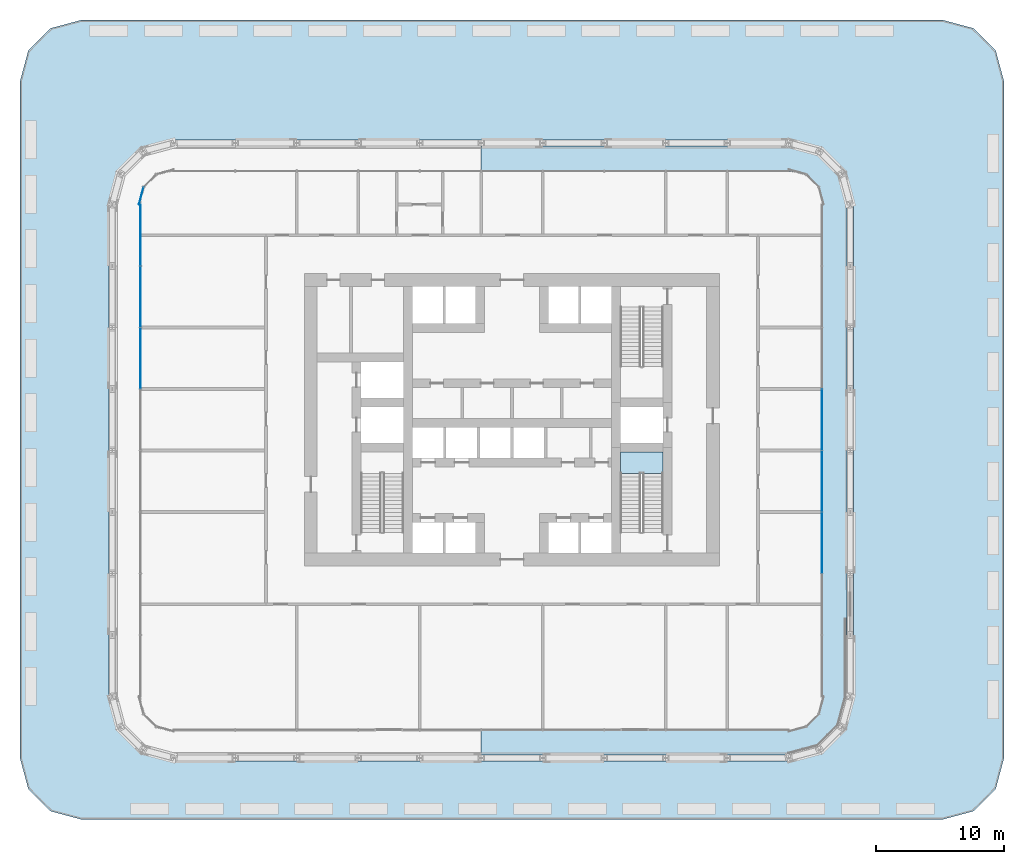
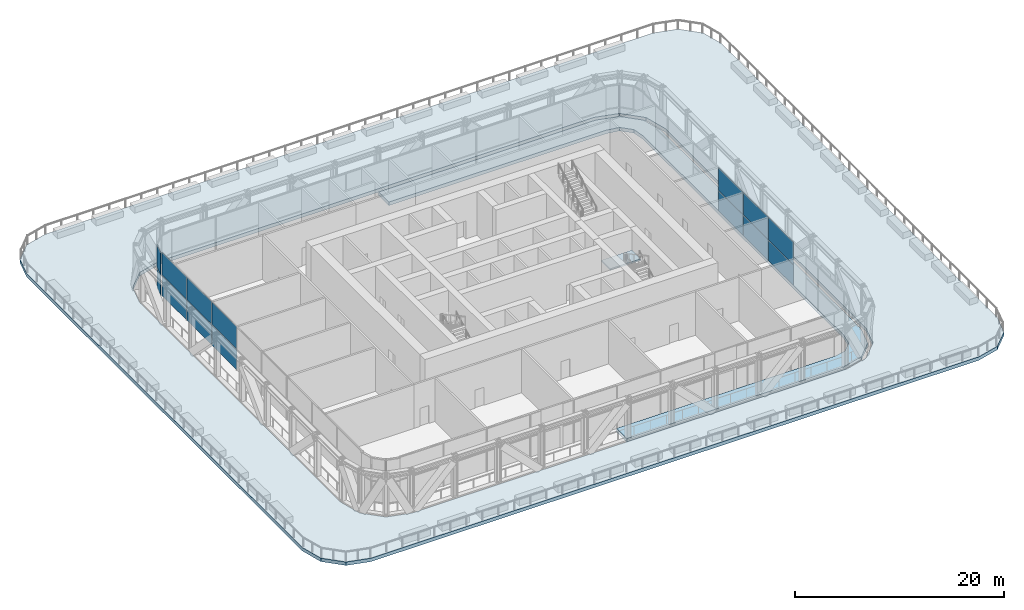
# One storey, part 12 of 22: 14 plates, 3 slabs, 4 elements without a shape of their own.
"""IFC4 building model written with IfcOpenShell, lengths in metres."""

from ifc_helpers import new_model, si_unit, direction, frame, origin, origin_2d, place, context, subcontext, project, spatial, polyline, rectangle, outline, extrude, material, layer, layer_set, type_object, element, aggregate, save


model = new_model("IFC4")

# Units and contexts
model_context = context("Model", 3, precision=1e-05, world=origin(), true_north=direction((0.0, 1.0)))
body_context = subcontext(model_context, "Body", "Model", "MODEL_VIEW")
ifc_project = project(units=[si_unit("LENGTHUNIT", "METRE"), si_unit("AREAUNIT", "SQUARE_METRE"), si_unit("VOLUMEUNIT", "CUBIC_METRE"), si_unit("PLANEANGLEUNIT", "RADIAN"), si_unit("MASSUNIT", "GRAM", prefix="KILO")], contexts=[model_context])

# Site, building, storey
site_placement = place(None, origin())
site = spatial("IfcSite", under=ifc_project, at=site_placement, CompositionType="ELEMENT")
building_placement = place(site_placement, origin())
building = spatial("IfcBuilding", under=site, at=building_placement, Name="Madar Terraces", CompositionType="ELEMENT")
storey_placement = place(building_placement, frame((0.0, 0.0, 24.0)))
storey = spatial("IfcBuildingStorey", under=building, at=storey_placement, Name="L05", CompositionType="ELEMENT", Elevation=24.0)

# Curtain wall, plates
ifc_material_1 = material(Name="Glass, ceramic frit dark grey, with black aluminium frame", Category="aluminium")
ifc_layer_1 = layer(ifc_material_1, 0.199951171875)
ifc_layer_set_1 = layer_set([ifc_layer_1], Name="Facade curtain wall, tall glazing")
curtain_wall_type = type_object("IfcCurtainWallType", Name="Facade curtain wall, tall glazing", PredefinedType="NOTDEFINED", material=ifc_layer_set_1)
curtain_wall_1_placement = place(storey_placement, origin())
curtain_wall_1 = element("IfcCurtainWall", 1, at=curtain_wall_1_placement, inside=storey, type_object=curtain_wall_type, Name="Outer skin curtain wall east bay 1", PredefinedType="NOTDEFINED")
ifc_material_2 = material(Name="Glass, ceramic frit dark grey", Category="glass")
ifc_layer_2 = layer(ifc_material_2, 0.028076171875)
ifc_layer_set_2 = layer_set([ifc_layer_2], Name="Facade glass panel 28")
plate_type = type_object("IfcPlateType", Name="Facade glass panel 28", PredefinedType="CURTAIN_PANEL", material=ifc_layer_set_2)
plate_1_placement = place(storey_placement, frame((55.39990234375, 16.800048828125, 0.0), z_axis=(0.0, 0.0, 1.0), x_axis=(0.0, 1.0, 0.0)))
plate_1 = element("IfcPlate", 2, at=plate_1_placement, type_object=plate_type, Name="Panel 5", PredefinedType="CURTAIN_PANEL", context=body_context, shape_type="SweptSolid", body=[
    extrude(rectangle(XDim=4.739990234375, YDim=0.028076171875, at=origin_2d()), origin(), (0.0, 0.0, 1.0), 2.3701171875),
])
plate_2_placement = place(storey_placement, frame((55.39990234375, 16.800048828125, 2.43017578125), z_axis=(0.0, 0.0, 1.0), x_axis=(0.0, 1.0, 0.0)))
plate_2 = element("IfcPlate", 3, at=plate_2_placement, type_object=plate_type, Name="Panel 6", PredefinedType="CURTAIN_PANEL", context=body_context, shape_type="SweptSolid", body=[
    extrude(rectangle(XDim=4.739990234375, YDim=0.028076171875, at=origin_2d()), origin(), (0.0, 0.0, 1.0), 2.610107421875),
])
plate_3_placement = place(storey_placement, frame((55.39990234375, 21.60009765625, 0.0), z_axis=(0.0, 0.0, 1.0), x_axis=(0.0, 1.0, 0.0)))
plate_3 = element("IfcPlate", 4, at=plate_3_placement, type_object=plate_type, Name="Panel 7", PredefinedType="CURTAIN_PANEL", context=body_context, shape_type="SweptSolid", body=[
    extrude(rectangle(XDim=4.739990234375, YDim=0.028076171875, at=origin_2d()), origin(), (0.0, 0.0, 1.0), 2.3701171875),
])
plate_4_placement = place(storey_placement, frame((55.39990234375, 21.60009765625, 2.43017578125), z_axis=(0.0, 0.0, 1.0), x_axis=(0.0, 1.0, 0.0)))
plate_4 = element("IfcPlate", 5, at=plate_4_placement, type_object=plate_type, Name="Panel 8", PredefinedType="CURTAIN_PANEL", context=body_context, shape_type="SweptSolid", body=[
    extrude(rectangle(XDim=4.739990234375, YDim=0.028076171875, at=origin_2d()), origin(), (0.0, 0.0, 1.0), 2.610107421875),
])
plate_5_placement = place(storey_placement, frame((55.39990234375, 26.39990234375, 0.0), z_axis=(0.0, 0.0, 1.0), x_axis=(0.0, 1.0, 0.0)))
plate_5 = element("IfcPlate", 6, at=plate_5_placement, type_object=plate_type, Name="Panel 9", PredefinedType="CURTAIN_PANEL", context=body_context, shape_type="SweptSolid", body=[
    extrude(rectangle(XDim=4.739990234375, YDim=0.028076171875, at=origin_2d()), origin(), (0.0, 0.0, 1.0), 2.3701171875),
])
plate_6_placement = place(storey_placement, frame((55.39990234375, 26.39990234375, 2.43017578125), z_axis=(0.0, 0.0, 1.0), x_axis=(0.0, 1.0, 0.0)))
plate_6 = element("IfcPlate", 7, at=plate_6_placement, type_object=plate_type, Name="Panel 10", PredefinedType="CURTAIN_PANEL", context=body_context, shape_type="SweptSolid", body=[
    extrude(rectangle(XDim=4.739990234375, YDim=0.028076171875, at=origin_2d()), origin(), (0.0, 0.0, 1.0), 2.610107421875),
])
aggregate(curtain_wall_1, [plate_1, plate_2, plate_3, plate_4, plate_5, plate_6])

curtain_wall_2_placement = place(storey_placement, origin())
curtain_wall_2 = element("IfcCurtainWall", 8, at=curtain_wall_2_placement, inside=storey, type_object=curtain_wall_type, Name="Outer skin curtain wall west bay 1", PredefinedType="NOTDEFINED")
plate_7_placement = place(storey_placement, frame((2.199951171875, 40.81494140625, 0.0), z_axis=(0.0, 0.0, 1.0), x_axis=(0.0, -1.0, 0.0)))
plate_7 = element("IfcPlate", 9, at=plate_7_placement, type_object=plate_type, Name="Panel 1", PredefinedType="CURTAIN_PANEL", context=body_context, shape_type="SweptSolid", body=[
    extrude(rectangle(XDim=4.77001953125, YDim=0.028076171875, at=origin_2d()), origin(), (0.0, 0.0, 1.0), 2.3701171875),
])
plate_8_placement = place(storey_placement, frame((2.199951171875, 40.81494140625, 2.43017578125), z_axis=(0.0, 0.0, 1.0), x_axis=(0.0, -1.0, 0.0)))
plate_8 = element("IfcPlate", 10, at=plate_8_placement, type_object=plate_type, Name="Panel 2", PredefinedType="CURTAIN_PANEL", context=body_context, shape_type="SweptSolid", body=[
    extrude(rectangle(XDim=4.77001953125, YDim=0.028076171875, at=origin_2d()), origin(), (0.0, 0.0, 1.0), 2.610107421875),
])
plate_9_placement = place(storey_placement, frame((2.199951171875, 36.0, 0.0), z_axis=(0.0, 0.0, 1.0), x_axis=(0.0, -1.0, 0.0)))
plate_9 = element("IfcPlate", 11, at=plate_9_placement, type_object=plate_type, Name="Panel 3", PredefinedType="CURTAIN_PANEL", context=body_context, shape_type="SweptSolid", body=[
    extrude(rectangle(XDim=4.739990234375, YDim=0.028076171875, at=origin_2d()), origin(), (0.0, 0.0, 1.0), 2.3701171875),
])
plate_10_placement = place(storey_placement, frame((2.199951171875, 36.0, 2.43017578125), z_axis=(0.0, 0.0, 1.0), x_axis=(0.0, -1.0, 0.0)))
plate_10 = element("IfcPlate", 12, at=plate_10_placement, type_object=plate_type, Name="Panel 4", PredefinedType="CURTAIN_PANEL", context=body_context, shape_type="SweptSolid", body=[
    extrude(rectangle(XDim=4.739990234375, YDim=0.028076171875, at=origin_2d()), origin(), (0.0, 0.0, 1.0), 2.610107421875),
])
plate_11_placement = place(storey_placement, frame((2.199951171875, 31.199951171875, 0.0), z_axis=(0.0, 0.0, 1.0), x_axis=(0.0, -1.0, 0.0)))
plate_11 = element("IfcPlate", 13, at=plate_11_placement, type_object=plate_type, Name="Panel 5", PredefinedType="CURTAIN_PANEL", context=body_context, shape_type="SweptSolid", body=[
    extrude(rectangle(XDim=4.739990234375, YDim=0.028076171875, at=origin_2d()), origin(), (0.0, 0.0, 1.0), 2.3701171875),
])
plate_12_placement = place(storey_placement, frame((2.199951171875, 31.199951171875, 2.43017578125), z_axis=(0.0, 0.0, 1.0), x_axis=(0.0, -1.0, 0.0)))
plate_12 = element("IfcPlate", 14, at=plate_12_placement, type_object=plate_type, Name="Panel 6", PredefinedType="CURTAIN_PANEL", context=body_context, shape_type="SweptSolid", body=[
    extrude(rectangle(XDim=4.739990234375, YDim=0.028076171875, at=origin_2d()), origin(), (0.0, 0.0, 1.0), 2.610107421875),
])
aggregate(curtain_wall_2, [plate_7, plate_8, plate_9, plate_10, plate_11, plate_12])

curtain_wall_3_placement = place(storey_placement, origin())
curtain_wall_3 = element("IfcCurtainWall", 15, at=curtain_wall_3_placement, inside=storey, type_object=curtain_wall_type, Name="Outer skin curtain wall north-west corner", PredefinedType="NOTDEFINED")
plate_13_placement = place(storey_placement, frame((2.25830078125, 43.865478515625, 0.0), z_axis=(0.0, 0.0, 1.0), x_axis=(-0.258819110244, -0.965925808834, 0.0)))
plate_13 = element("IfcPlate", 16, at=plate_13_placement, type_object=plate_type, Name="Panel 5", PredefinedType="CURTAIN_PANEL", context=body_context, shape_type="SweptSolid", body=[
    extrude(rectangle(XDim=1.3779296875, YDim=0.028076171875, at=origin_2d()), origin(), (0.0, 0.0, 1.0), 2.3701171875),
])
plate_14_placement = place(storey_placement, frame((2.25830078125, 43.865478515625, 2.43017578125), z_axis=(0.0, 0.0, 1.0), x_axis=(-0.258819110244, -0.965925808834, 0.0)))
plate_14 = element("IfcPlate", 17, at=plate_14_placement, type_object=plate_type, Name="Panel 6", PredefinedType="CURTAIN_PANEL", context=body_context, shape_type="SweptSolid", body=[
    extrude(rectangle(XDim=1.3779296875, YDim=0.028076171875, at=origin_2d()), origin(), (0.0, 0.0, 1.0), 2.610107421875),
])
aggregate(curtain_wall_3, [plate_13, plate_14])

# Stair, slab
ifc_material_3 = material(Name="Concrete C50/60", Category="concrete")
stair_type = type_object("IfcStairType", Name="Stair ST3 protected exit", PredefinedType="HALF_TURN_STAIR", material=ifc_material_3)
stair_placement = place(storey_placement, origin())
stair = element("IfcStair", 18, at=stair_placement, inside=storey, type_object=stair_type, Name="L05 Protected Exit Stair ST3", PredefinedType="HALF_TURN_STAIR")
ifc_material_4 = material(Name="Concrete C50/60", Category="concrete")
ifc_layer_3 = layer(ifc_material_4, 0.199951171875)
ifc_layer_set_3 = layer_set([ifc_layer_3], Name="Stair landing 200, top +2.70")
slab_type_1 = type_object("IfcSlabType", Name="Stair landing 200, top +2.70", PredefinedType="LANDING", material=ifc_layer_set_3)
slab_1_placement = place(storey_placement, frame((0.0, 0.0, 2.5)))
slab_1 = element("IfcSlab", 19, at=slab_1_placement, type_object=slab_type_1, Name="ST3 landing 1", PredefinedType="LANDING", context=body_context, shape_type="SweptSolid", body=[
    extrude(outline(polyline([(39.64990234375, 22.219970703125), (43.0, 22.219970703125), (43.0, 23.89990234375), (39.64990234375, 23.89990234375), (39.64990234375, 22.219970703125)])), origin(), (0.0, 0.0, 1.0), 0.199951171875),
])
aggregate(stair, [slab_1])

# Slabs
ifc_material_5 = material(Name="Concrete C50/60", Category="concrete")
ifc_layer_4 = layer(ifc_material_5, 0.39990234375)
ifc_layer_set_4 = layer_set([ifc_layer_4], Name="TS1 PT terrace slab 400")
slab_type_2 = type_object("IfcSlabType", Name="TS1 PT terrace slab 400", PredefinedType="FLOOR", material=ifc_layer_set_4)
slab_2_placement = place(storey_placement, frame((0.0, 0.0, -0.39990234375)))
element("IfcSlab", 20, at=slab_2_placement, inside=storey, type_object=slab_type_2, Name="Gallery slab L05 (2)", PredefinedType="FLOOR", context=body_context, shape_type="SweptSolid", body=[
    extrude(outline(polyline([(28.800048828125, 47.76123046875), (28.800048828125, 45.800048828125), (52.800048828125, 45.800048828125), (54.159912109375, 45.5556640625), (55.155517578125, 44.56005859375), (55.39990234375, 43.199951171875), (55.39990234375, 4.800048828125), (55.155517578125, 3.43994140625), (54.159912109375, 2.4443359375), (52.800048828125, 2.199951171875), (28.800048828125, 2.199951171875), (28.800048828125, 0.23876953125), (52.7685546875, 0.23876953125), (55.076416015625, 0.857177734375), (56.742919921875, 2.523681640625), (57.361328125, 4.83154296875), (57.361328125, 43.16845703125), (56.742919921875, 45.476318359375), (55.076416015625, 47.142822265625), (52.7685546875, 47.76123046875), (28.800048828125, 47.76123046875)])), origin(), (0.0, 0.0, 1.0), 0.39990234375),
])
slab_3_placement = place(storey_placement, frame((0.0, 0.0, -0.39990234375)))
element("IfcSlab", 21, at=slab_3_placement, inside=storey, type_object=slab_type_2, Name="Terrace roof slab L05 (1)", PredefinedType="FLOOR", context=body_context, shape_type="SweptSolid", body=[
    extrude(outline(polyline([(64.79345703125, -4.800048828125), (64.7978515625, -4.7998046875), (64.802001953125, -4.79931640625), (64.806396484375, -4.79833984375), (67.18701171875, -4.160400390625), (67.192138671875, -4.15869140625), (67.19677734375, -4.15673828125), (67.201416015625, -4.154052734375), (67.20556640625, -4.15087890625), (67.20947265625, -4.1474609375), (68.947509765625, -2.409423828125), (68.950927734375, -2.405517578125), (68.9541015625, -2.4013671875), (68.95654296875, -2.396728515625), (68.958740234375, -2.39208984375), (68.96044921875, -2.386962890625), (69.598388671875, -0.00634765625), (69.59912109375, -0.002197265625), (69.599853515625, 0.002197265625), (69.60009765625, 0.006591796875), (69.60009765625, 52.79345703125), (69.599853515625, 52.7978515625), (69.59912109375, 52.802001953125), (69.598388671875, 52.806396484375), (68.96044921875, 55.18701171875), (68.958740234375, 55.192138671875), (68.95654296875, 55.19677734375), (68.9541015625, 55.201416015625), (68.950927734375, 55.20556640625), (68.947509765625, 55.20947265625), (67.20947265625, 56.947509765625), (67.20556640625, 56.950927734375), (67.201416015625, 56.9541015625), (67.19677734375, 56.95654296875), (67.192138671875, 56.958740234375), (67.18701171875, 56.96044921875), (64.806396484375, 57.598388671875), (64.802001953125, 57.59912109375), (64.7978515625, 57.599853515625), (64.79345703125, 57.60009765625), (-2.393310546875, 57.60009765625), (-2.397705078125, 57.599853515625), (-2.402099609375, 57.59912109375), (-2.40625, 57.598388671875), (-4.787109375, 56.96044921875), (-4.7919921875, 56.958740234375), (-4.796875, 56.95654296875), (-4.80126953125, 56.9541015625), (-4.8056640625, 56.950927734375), (-4.8095703125, 56.947509765625), (-6.54736328125, 55.20947265625), (-6.551025390625, 55.20556640625), (-6.553955078125, 55.201416015625), (-6.556640625, 55.19677734375), (-6.558837890625, 55.192138671875), (-6.560302734375, 55.18701171875), (-7.1982421875, 52.806396484375), (-7.19921875, 52.802001953125), (-7.19970703125, 52.7978515625), (-7.199951171875, 52.79345703125), (-7.199951171875, 0.006591796875), (-7.19970703125, 0.002197265625), (-7.19921875, -0.002197265625), (-7.1982421875, -0.00634765625), (-6.560302734375, -2.386962890625), (-6.558837890625, -2.39208984375), (-6.556640625, -2.396728515625), (-6.553955078125, -2.4013671875), (-6.551025390625, -2.405517578125), (-6.54736328125, -2.409423828125), (-4.8095703125, -4.1474609375), (-4.8056640625, -4.15087890625), (-4.80126953125, -4.154052734375), (-4.796875, -4.15673828125), (-4.7919921875, -4.15869140625), (-4.787109375, -4.160400390625), (-2.40625, -4.79833984375), (-2.402099609375, -4.79931640625), (-2.397705078125, -4.7998046875), (-2.393310546875, -4.800048828125), (64.79345703125, -4.800048828125)]), holes=[polyline([(0.4287109375, 2.277587890625), (-0.238525390625, 4.767578125), (-0.23876953125, 4.7685546875), (-0.23876953125, 4.769775390625), (-0.23876953125, 43.230224609375), (-0.23876953125, 43.2314453125), (-0.238525390625, 43.232421875), (0.4287109375, 45.722412109375), (0.428955078125, 45.7236328125), (0.429931640625, 45.724609375), (2.275390625, 47.570068359375), (2.2763671875, 47.571044921875), (2.277587890625, 47.5712890625), (4.767578125, 48.238525390625), (4.7685546875, 48.23876953125), (4.769775390625, 48.23876953125), (52.830322265625, 48.23876953125), (52.83154296875, 48.23876953125), (52.83251953125, 48.238525390625), (55.322265625, 47.5712890625), (55.323486328125, 47.571044921875), (55.324462890625, 47.570068359375), (57.170166015625, 45.724609375), (57.1708984375, 45.7236328125), (57.17138671875, 45.722412109375), (57.83837890625, 43.232421875), (57.838623046875, 43.2314453125), (57.8388671875, 43.230224609375), (57.8388671875, 4.769775390625), (57.838623046875, 4.7685546875), (57.83837890625, 4.767578125), (57.17138671875, 2.277587890625), (57.1708984375, 2.2763671875), (57.170166015625, 2.275390625), (55.324462890625, 0.429931640625), (55.323486328125, 0.428955078125), (55.322265625, 0.4287109375), (52.83251953125, -0.238525390625), (52.83154296875, -0.23876953125), (52.830322265625, -0.23876953125), (4.769775390625, -0.23876953125), (4.7685546875, -0.23876953125), (4.767578125, -0.238525390625), (2.277587890625, 0.4287109375), (2.2763671875, 0.428955078125), (2.275390625, 0.429931640625), (0.429931640625, 2.275390625), (0.428955078125, 2.2763671875), (0.4287109375, 2.277587890625)])]), origin(), (0.0, 0.0, 1.0), 0.39990234375),
])

save(model, "model.ifc")
